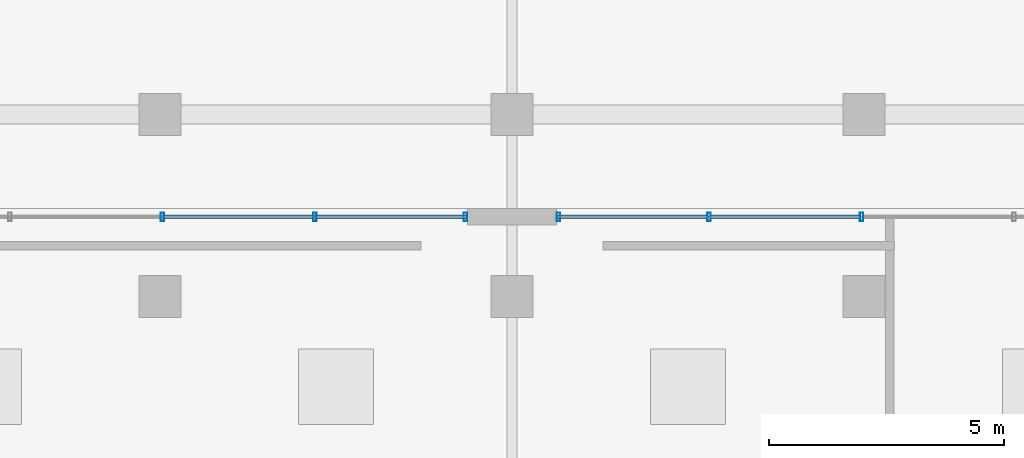
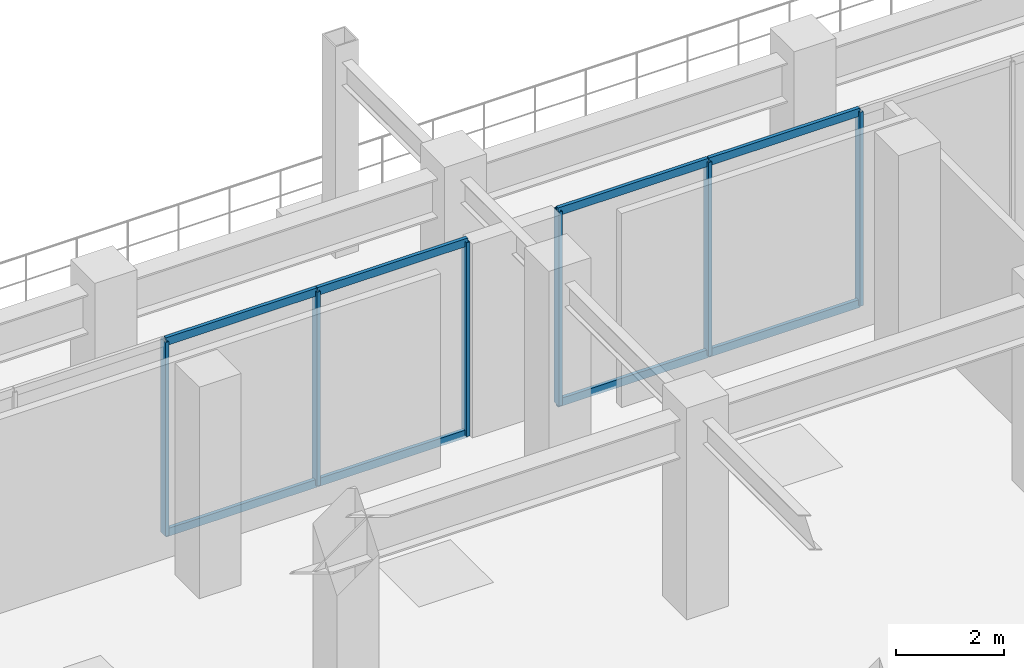
# One storey, part 6 of 15: 14 members, 2 elements without a shape of their own.
"""IFC4 building model written with IfcOpenShell, lengths in metres."""

from ifc_helpers import new_model, si_unit, direction, frame, origin, origin_2d, place, context, subcontext, project, spatial, hollow_rectangle, extrude, material, material_profile, profile_set, type_object, element, aggregate, save


model = new_model("IFC4")

# Units and contexts
model_context = context("Model", 3, precision=1e-05, world=origin(), true_north=direction((0.0, 1.0)))
body_context = subcontext(model_context, "Body", "Model", "MODEL_VIEW")
ifc_project = project(units=[si_unit("LENGTHUNIT", "METRE"), si_unit("AREAUNIT", "SQUARE_METRE"), si_unit("VOLUMEUNIT", "CUBIC_METRE"), si_unit("PLANEANGLEUNIT", "RADIAN"), si_unit("MASSUNIT", "GRAM", prefix="KILO")], contexts=[model_context])

# Site, building, storey
site_placement = place(None, origin())
site = spatial("IfcSite", under=ifc_project, at=site_placement, CompositionType="ELEMENT")
building_placement = place(site_placement, origin())
building = spatial("IfcBuilding", under=site, at=building_placement, Name="Ventersveld Concourse Tower", CompositionType="ELEMENT")
storey_placement = place(building_placement, frame((0.0, 0.0, 19.800048828125)))
storey = spatial("IfcBuildingStorey", under=building, at=storey_placement, Name="L04", CompositionType="ELEMENT", Elevation=19.800048828125)

# Curtain wall, members
ifc_material = material(Name="Anodised aluminium EN AW-6063-T6", Category="aluminium")
curtain_wall_type = type_object("IfcCurtainWallType", Name="CW-POD-2", PredefinedType="NOTDEFINED", material=ifc_material)
curtain_wall_1_placement = place(storey_placement, origin())
curtain_wall_1 = element("IfcCurtainWall", 1, at=curtain_wall_1_placement, inside=storey, type_object=curtain_wall_type, Name="L04 L04 Amenity Terrace Curtain Wall 1", PredefinedType="NOTDEFINED")
ifc_material_profile_1 = material_profile(ifc_material, hollow_rectangle(XDim=0.074951171875, YDim=0.179931640625, WallThickness=0.00390625, at=origin_2d()), Name="ALU 180x75x4")
ifc_profile_set_1 = profile_set([ifc_material_profile_1], Name="Anodised aluminium EN AW-6063-T6")
member_type_1 = type_object("IfcMemberType", Name="CWM-180x75", PredefinedType="MULLION", material=ifc_profile_set_1)
member_1_placement = place(storey_placement, frame((21.300048828125, 41.820068359375, 0.0), z_axis=(0.0, 0.0, 1.0), x_axis=(1.0, 0.0, 0.0)))
member_1 = element("IfcMember", 2, at=member_1_placement, type_object=member_type_1, Name="CW-L04-N1 Mullion 03", PredefinedType="MULLION", context=body_context, shape_type="SweptSolid", body=[
    extrude(hollow_rectangle(XDim=0.074951171875, YDim=0.179931640625, WallThickness=0.00390625, at=origin_2d()), origin(), (0.0, 0.0, 1.0), 4.39990234375),
])
member_2_placement = place(storey_placement, frame((24.550048828125, 41.820068359375, 0.0), z_axis=(0.0, 0.0, 1.0), x_axis=(1.0, 0.0, 0.0)))
member_2 = element("IfcMember", 3, at=member_2_placement, type_object=member_type_1, Name="CW-L04-N1 Mullion 04", PredefinedType="MULLION", context=body_context, shape_type="SweptSolid", body=[
    extrude(hollow_rectangle(XDim=0.074951171875, YDim=0.179931640625, WallThickness=0.00390625, at=origin_2d()), origin(), (0.0, 0.0, 1.0), 4.39990234375),
])
member_3_placement = place(storey_placement, frame((27.760009765625, 41.820068359375, 0.0), z_axis=(0.0, 0.0, 1.0), x_axis=(1.0, 0.0, 0.0)))
member_3 = element("IfcMember", 4, at=member_3_placement, type_object=member_type_1, Name="CW-L04-N1 Mullion 05", PredefinedType="MULLION", context=body_context, shape_type="SweptSolid", body=[
    extrude(hollow_rectangle(XDim=0.074951171875, YDim=0.179931640625, WallThickness=0.00390625, at=origin_2d()), origin(), (0.0, 0.0, 1.0), 4.39990234375),
])

curtain_wall_2_placement = place(storey_placement, origin())
curtain_wall_2 = element("IfcCurtainWall", 5, at=curtain_wall_2_placement, inside=storey, type_object=curtain_wall_type, Name="L04 L04 Amenity Terrace Curtain Wall 2", PredefinedType="NOTDEFINED")
member_4_placement = place(storey_placement, frame((29.739990234375, 41.820068359375, 0.0), z_axis=(0.0, 0.0, 1.0), x_axis=(1.0, 0.0, 0.0)))
member_4 = element("IfcMember", 6, at=member_4_placement, type_object=member_type_1, Name="CW-L04-N2 Mullion 01", PredefinedType="MULLION", context=body_context, shape_type="SweptSolid", body=[
    extrude(hollow_rectangle(XDim=0.074951171875, YDim=0.179931640625, WallThickness=0.00390625, at=origin_2d()), origin(), (0.0, 0.0, 1.0), 4.39990234375),
])
member_5_placement = place(storey_placement, frame((32.949951171875, 41.820068359375, 0.0), z_axis=(0.0, 0.0, 1.0), x_axis=(1.0, 0.0, 0.0)))
member_5 = element("IfcMember", 7, at=member_5_placement, type_object=member_type_1, Name="CW-L04-N2 Mullion 02", PredefinedType="MULLION", context=body_context, shape_type="SweptSolid", body=[
    extrude(hollow_rectangle(XDim=0.074951171875, YDim=0.179931640625, WallThickness=0.00390625, at=origin_2d()), origin(), (0.0, 0.0, 1.0), 4.39990234375),
])
member_6_placement = place(storey_placement, frame((36.199951171875, 41.820068359375, 0.0), z_axis=(0.0, 0.0, 1.0), x_axis=(1.0, 0.0, 0.0)))
member_6 = element("IfcMember", 8, at=member_6_placement, type_object=member_type_1, Name="CW-L04-N2 Mullion 03", PredefinedType="MULLION", context=body_context, shape_type="SweptSolid", body=[
    extrude(hollow_rectangle(XDim=0.074951171875, YDim=0.179931640625, WallThickness=0.00390625, at=origin_2d()), origin(), (0.0, 0.0, 1.0), 4.39990234375),
])

# Member
ifc_material_profile_2 = material_profile(ifc_material, hollow_rectangle(XDim=0.074951171875, YDim=0.179931640625, WallThickness=0.00390625, at=origin_2d()), Name="ALU 180x75x4")
ifc_profile_set_2 = profile_set([ifc_material_profile_2], Name="Anodised aluminium EN AW-6063-T6")
member_type_2 = type_object("IfcMemberType", Name="CWT-180x75", PredefinedType="USERDEFINED", material=ifc_profile_set_2)
member_7_placement = place(storey_placement, frame((21.31005859375, 41.820068359375, 0.030029296875), z_axis=(1.0, 0.0, 0.0), x_axis=(0.0, 1.0, 0.0)))
member_7 = element("IfcMember", 9, at=member_7_placement, type_object=member_type_2, Name="CW-L04-N1 Transom 1-03", ObjectType="TRANSOM", PredefinedType="USERDEFINED", context=body_context, shape_type="SweptSolid", body=[
    extrude(hollow_rectangle(XDim=0.074951171875, YDim=0.179931640625, WallThickness=0.00390625, at=origin_2d()), origin(), (0.0, 0.0, 1.0), 3.22998046875),
])

member_8_placement = place(storey_placement, frame((24.56005859375, 41.820068359375, 0.030029296875), z_axis=(1.0, 0.0, 0.0), x_axis=(0.0, 1.0, 0.0)))
member_8 = element("IfcMember", 10, at=member_8_placement, type_object=member_type_2, Name="CW-L04-N1 Transom 1-04", ObjectType="TRANSOM", PredefinedType="USERDEFINED", context=body_context, shape_type="SweptSolid", body=[
    extrude(hollow_rectangle(XDim=0.074951171875, YDim=0.179931640625, WallThickness=0.00390625, at=origin_2d()), origin(), (0.0, 0.0, 1.0), 3.219970703125),
])

member_9_placement = place(storey_placement, frame((21.31005859375, 41.820068359375, 4.369873046875), z_axis=(1.0, 0.0, 0.0), x_axis=(0.0, 1.0, 0.0)))
member_9 = element("IfcMember", 11, at=member_9_placement, type_object=member_type_2, Name="CW-L04-N1 Transom 2-03", ObjectType="TRANSOM", PredefinedType="USERDEFINED", context=body_context, shape_type="SweptSolid", body=[
    extrude(hollow_rectangle(XDim=0.074951171875, YDim=0.179931640625, WallThickness=0.00390625, at=origin_2d()), origin(), (0.0, 0.0, 1.0), 3.22998046875),
])

member_10_placement = place(storey_placement, frame((24.56005859375, 41.820068359375, 4.369873046875), z_axis=(1.0, 0.0, 0.0), x_axis=(0.0, 1.0, 0.0)))
member_10 = element("IfcMember", 12, at=member_10_placement, type_object=member_type_2, Name="CW-L04-N1 Transom 2-04", ObjectType="TRANSOM", PredefinedType="USERDEFINED", context=body_context, shape_type="SweptSolid", body=[
    extrude(hollow_rectangle(XDim=0.074951171875, YDim=0.179931640625, WallThickness=0.00390625, at=origin_2d()), origin(), (0.0, 0.0, 1.0), 3.219970703125),
])

aggregate(curtain_wall_1, [member_1, member_2, member_3, member_7, member_8, member_9, member_10])

member_11_placement = place(storey_placement, frame((29.719970703125, 41.820068359375, 0.030029296875), z_axis=(1.0, 0.0, 0.0), x_axis=(0.0, 1.0, 0.0)))
member_11 = element("IfcMember", 13, at=member_11_placement, type_object=member_type_2, Name="CW-L04-N2 Transom 1-01", ObjectType="TRANSOM", PredefinedType="USERDEFINED", context=body_context, shape_type="SweptSolid", body=[
    extrude(hollow_rectangle(XDim=0.074951171875, YDim=0.179931640625, WallThickness=0.00390625, at=origin_2d()), origin(), (0.0, 0.0, 1.0), 3.219970703125),
])

member_12_placement = place(storey_placement, frame((32.9599609375, 41.820068359375, 0.030029296875), z_axis=(1.0, 0.0, 0.0), x_axis=(0.0, 1.0, 0.0)))
member_12 = element("IfcMember", 14, at=member_12_placement, type_object=member_type_2, Name="CW-L04-N2 Transom 1-02", ObjectType="TRANSOM", PredefinedType="USERDEFINED", context=body_context, shape_type="SweptSolid", body=[
    extrude(hollow_rectangle(XDim=0.074951171875, YDim=0.179931640625, WallThickness=0.00390625, at=origin_2d()), origin(), (0.0, 0.0, 1.0), 3.22998046875),
])

member_13_placement = place(storey_placement, frame((29.719970703125, 41.820068359375, 4.369873046875), z_axis=(1.0, 0.0, 0.0), x_axis=(0.0, 1.0, 0.0)))
member_13 = element("IfcMember", 15, at=member_13_placement, type_object=member_type_2, Name="CW-L04-N2 Transom 2-01", ObjectType="TRANSOM", PredefinedType="USERDEFINED", context=body_context, shape_type="SweptSolid", body=[
    extrude(hollow_rectangle(XDim=0.074951171875, YDim=0.179931640625, WallThickness=0.00390625, at=origin_2d()), origin(), (0.0, 0.0, 1.0), 3.219970703125),
])

member_14_placement = place(storey_placement, frame((32.9599609375, 41.820068359375, 4.369873046875), z_axis=(1.0, 0.0, 0.0), x_axis=(0.0, 1.0, 0.0)))
member_14 = element("IfcMember", 16, at=member_14_placement, type_object=member_type_2, Name="CW-L04-N2 Transom 2-02", ObjectType="TRANSOM", PredefinedType="USERDEFINED", context=body_context, shape_type="SweptSolid", body=[
    extrude(hollow_rectangle(XDim=0.074951171875, YDim=0.179931640625, WallThickness=0.00390625, at=origin_2d()), origin(), (0.0, 0.0, 1.0), 3.22998046875),
])

aggregate(curtain_wall_2, [member_4, member_5, member_6, member_11, member_12, member_13, member_14])

save(model, "model.ifc")
